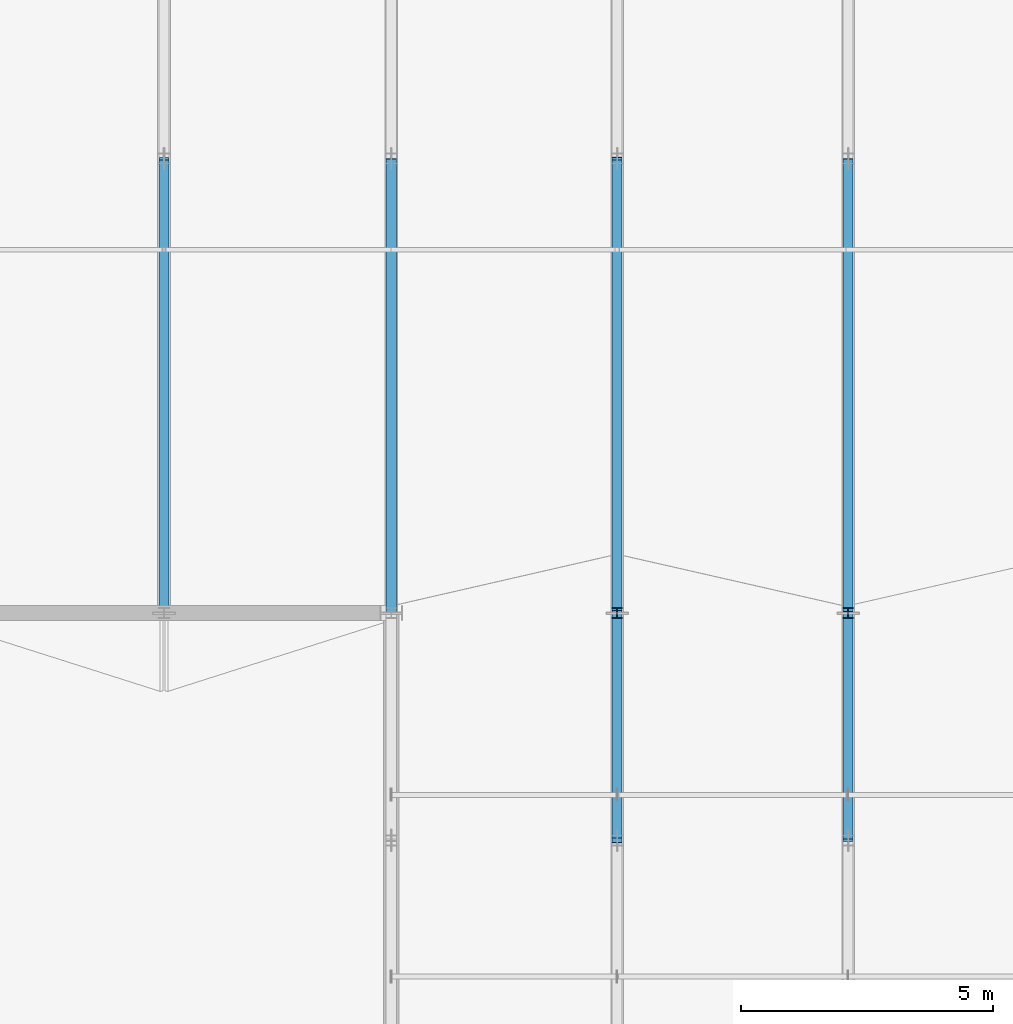
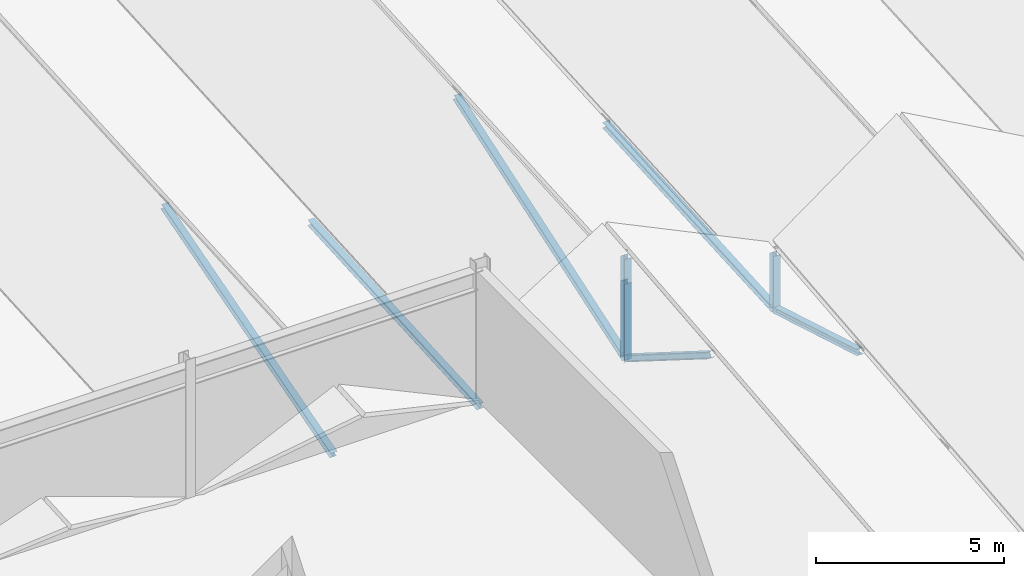
# One storey, part 27 of 142: 9 members.
"""IFC4 building model written with IfcOpenShell, lengths in metres."""

from ifc_helpers import new_model, si_unit, direction, frame, origin, origin_2d, place, context, subcontext, project, spatial, i_section, extrude, material, material_profile, profile_set, type_object, element, save


model = new_model("IFC4")

# Units and contexts
model_context = context("Model", 3, precision=1e-05, world=origin(), true_north=direction((0.0, 1.0)))
body_context = subcontext(model_context, "Body", "Model", "MODEL_VIEW")
ifc_project = project(units=[si_unit("LENGTHUNIT", "METRE"), si_unit("AREAUNIT", "SQUARE_METRE"), si_unit("VOLUMEUNIT", "CUBIC_METRE"), si_unit("PLANEANGLEUNIT", "RADIAN"), si_unit("MASSUNIT", "GRAM", prefix="KILO")], contexts=[model_context])

# Site, building, storey
site_placement = place(None, origin())
site = spatial("IfcSite", under=ifc_project, at=site_placement, CompositionType="ELEMENT")
building_placement = place(site_placement, origin())
building = spatial("IfcBuilding", under=site, at=building_placement, Name="Montelvaro Courts of Justice", CompositionType="ELEMENT")
storey_placement = place(building_placement, frame((0.0, 0.0, 14.39990234375)))
storey = spatial("IfcBuildingStorey", under=building, at=storey_placement, Name="L03", CompositionType="ELEMENT", Elevation=14.39990234375)

# Members
ifc_material = material(Name="Steel S355", Category="steel")
ifc_material_profile_1 = material_profile(ifc_material, i_section(OverallWidth=0.199951171875, OverallDepth=0.18994140625, WebThickness=0.006591796875, FlangeThickness=0.010009765625, at=origin_2d()), Name="HEA 200")
ifc_profile_set_1 = profile_set([ifc_material_profile_1], Name="Steel S355")
member_type_1 = type_object("IfcMemberType", Name="Mem_HEA200_Brace", PredefinedType="BRACE", material=ifc_profile_set_1)
for number, where, z_axis, x_axis, name in (
    (1, (72.0, 42.0, -0.2998046875), (0.0, 0.998271944472, 0.058763295342), (-1.0, 0.0, 0.0), "Roof Truss Web MB-02 ROOF-PASSAGE-VTR03-W1"),
    (2, (81.050048828125, 42.0, -0.2998046875), (0.0, 0.998271944472, 0.058763295342), (-1.0, 0.0, 0.0), "Roof Truss Web MB-02 ROOF-PASSAGE-VTR04-W1"),
):
    element("IfcMember", number, at=place(storey_placement, frame(where, z_axis=z_axis, x_axis=x_axis)), inside=storey, type_object=member_type_1, Name=name, PredefinedType="BRACE", context=body_context, shape_type="SweptSolid", body=[
        extrude(i_section(OverallWidth=0.199951171875, OverallDepth=0.18994140625, WebThickness=0.006591796875, FlangeThickness=0.010009765625, at=origin_2d()), origin(), (0.0, 0.0, 1.0), 9.015625),
    ])
member_1_placement = place(storey_placement, frame((67.5, 42.0, -0.2998046875), z_axis=(0.0, 0.959859900466, 0.28047989496), x_axis=(-1.0, 0.0, 0.0)))
element("IfcMember", 3, at=member_1_placement, inside=storey, type_object=member_type_1, Name="Roof Truss Web MB-02 ROOF-PASSAGE-RTR02-W1", PredefinedType="BRACE", context=body_context, shape_type="SweptSolid", body=[
    extrude(i_section(OverallWidth=0.199951171875, OverallDepth=0.18994140625, WebThickness=0.006591796875, FlangeThickness=0.010009765625, at=origin_2d()), origin(), (0.0, 0.0, 1.0), 9.37646484375),
])
member_2_placement = place(storey_placement, frame((76.47509765625, 42.0, -0.2998046875), z_axis=(0.0, 0.947738147314, 0.319049218971), x_axis=(-1.0, 0.0, 0.0)))
element("IfcMember", 4, at=member_2_placement, inside=storey, type_object=member_type_1, Name="Roof Truss Web MB-02 ROOF-PASSAGE-RTR03-W1", PredefinedType="BRACE", context=body_context, shape_type="SweptSolid", body=[
    extrude(i_section(OverallWidth=0.199951171875, OverallDepth=0.18994140625, WebThickness=0.006591796875, FlangeThickness=0.010009765625, at=origin_2d()), origin(), (0.0, 0.0, 1.0), 9.496337890625),
])
member_3_placement = place(storey_placement, frame((81.050048828125, 37.5, 1.030029296875), z_axis=(0.0, 0.959000997748, -0.283402692857), x_axis=(-1.0, 0.0, 0.0)))
element("IfcMember", 5, at=member_3_placement, inside=storey, type_object=member_type_1, Name="Roof Truss Web MB-02 ROOF-PASSAGE-S-VTR02-W4", PredefinedType="BRACE", context=body_context, shape_type="SweptSolid", body=[
    extrude(i_section(OverallWidth=0.199951171875, OverallDepth=0.18994140625, WebThickness=0.006591796875, FlangeThickness=0.010009765625, at=origin_2d()), origin(), (0.0, 0.0, 1.0), 4.6923828125),
])
member_4_placement = place(storey_placement, frame((76.47509765625, 37.5, 2.530029296875), z_axis=(0.0, 0.846529520992, -0.532341779395), x_axis=(-1.0, 0.0, 0.0)))
element("IfcMember", 6, at=member_4_placement, inside=storey, type_object=member_type_1, Name="Roof Truss Web MB-02 ROOF-PASSAGE-S-RTR01-W4", PredefinedType="BRACE", context=body_context, shape_type="SweptSolid", body=[
    extrude(i_section(OverallWidth=0.199951171875, OverallDepth=0.18994140625, WebThickness=0.006591796875, FlangeThickness=0.010009765625, at=origin_2d()), origin(), (0.0, 0.0, 1.0), 5.31591796875),
])
ifc_material_profile_2 = material_profile(ifc_material, i_section(OverallWidth=0.219970703125, OverallDepth=0.2099609375, WebThickness=0.007080078125, FlangeThickness=0.010986328125, at=origin_2d()), Name="HEA 220")
ifc_profile_set_2 = profile_set([ifc_material_profile_2], Name="Steel S355")
member_type_2 = type_object("IfcMemberType", Name="Mem_HEA220_Post", PredefinedType="POST", material=ifc_profile_set_2)
member_5_placement = place(storey_placement, frame((76.47509765625, 42.0, -0.2998046875), z_axis=(0.0, 0.0, 1.0), x_axis=(1.0, 0.0, 0.0)))
element("IfcMember", 7, at=member_5_placement, inside=storey, type_object=member_type_2, Name="Roof Truss Post MP-03 ROOF-PASSAGE-RTR03-V0", PredefinedType="POST", context=body_context, shape_type="SweptSolid", body=[
    extrude(i_section(OverallWidth=0.219970703125, OverallDepth=0.2099609375, WebThickness=0.007080078125, FlangeThickness=0.010986328125, at=origin_2d()), origin(), (0.0, 0.0, 1.0), 2.47998046875),
])
member_6_placement = place(storey_placement, frame((81.050048828125, 42.0, -0.2998046875), z_axis=(0.0, 0.0, 1.0), x_axis=(1.0, 0.0, 0.0)))
element("IfcMember", 8, at=member_6_placement, inside=storey, type_object=member_type_2, Name="Roof Truss Post MP-03 ROOF-PASSAGE-S-VTR02-V4", PredefinedType="POST", context=body_context, shape_type="SweptSolid", body=[
    extrude(i_section(OverallWidth=0.219970703125, OverallDepth=0.2099609375, WebThickness=0.007080078125, FlangeThickness=0.010986328125, at=origin_2d()), origin(), (0.0, 0.0, 1.0), 1.77978515625),
])
member_7_placement = place(storey_placement, frame((76.47509765625, 42.0, -0.2998046875), z_axis=(0.0, 0.0, 1.0), x_axis=(1.0, 0.0, 0.0)))
element("IfcMember", 9, at=member_7_placement, inside=storey, type_object=member_type_2, Name="Roof Truss Post MP-03 ROOF-PASSAGE-S-RTR01-V4", PredefinedType="POST", context=body_context, shape_type="SweptSolid", body=[
    extrude(i_section(OverallWidth=0.219970703125, OverallDepth=0.2099609375, WebThickness=0.007080078125, FlangeThickness=0.010986328125, at=origin_2d()), origin(), (0.0, 0.0, 1.0), 3.27978515625),
])

save(model, "model.ifc")
